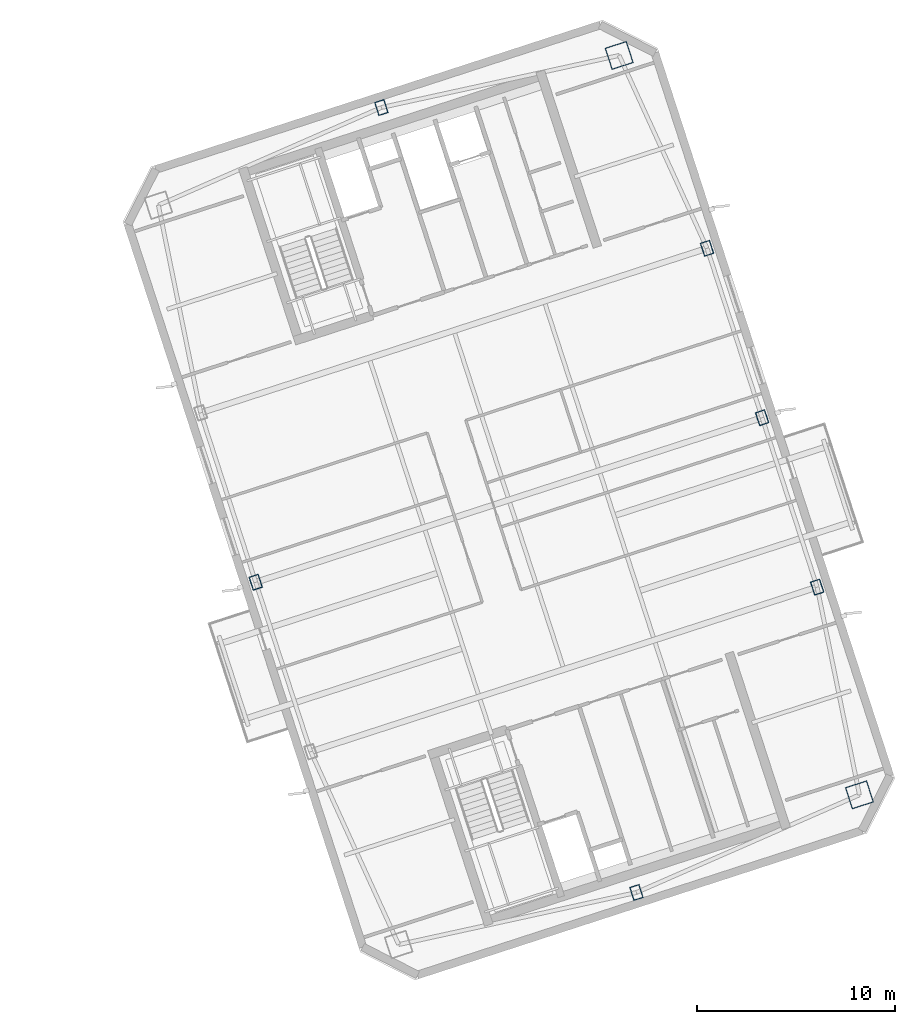
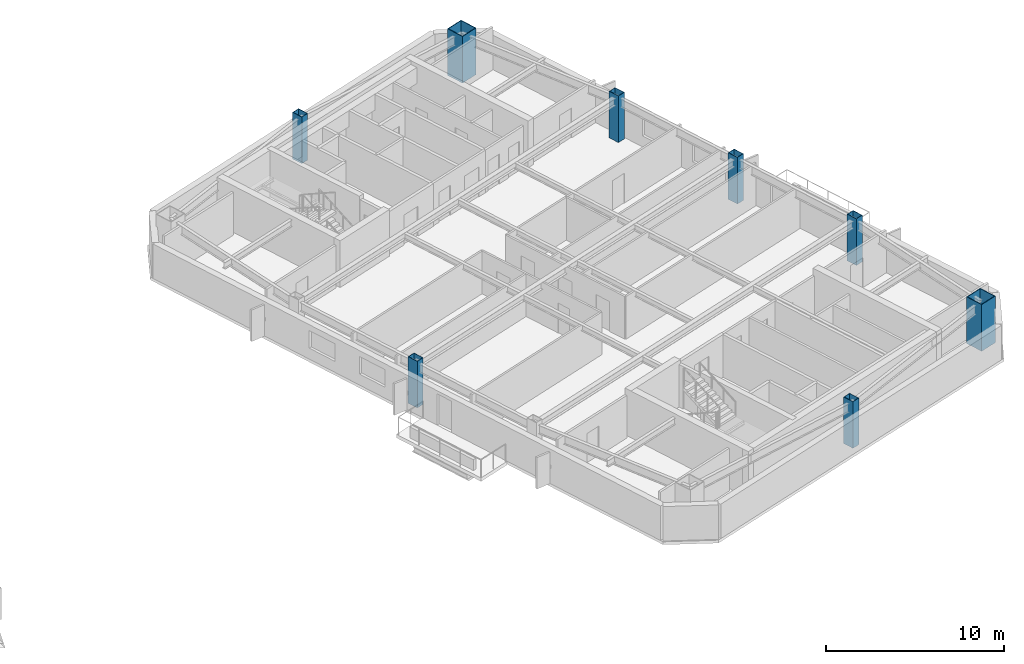
# One storey, part 2 of 18: 8 columns.
"""IFC4 building model written with IfcOpenShell, lengths in metres."""

from ifc_helpers import new_model, si_unit, direction, frame, origin, origin_2d, place, context, subcontext, project, spatial, hollow_rectangle, extrude, material, material_profile, profile_set, type_object, element, save


model = new_model("IFC4")

# Units and contexts
model_context = context("Model", 3, precision=1e-05, world=origin(), true_north=direction((0.0, 1.0)))
body_context = subcontext(model_context, "Body", "Model", "MODEL_VIEW")
ifc_project = project(units=[si_unit("LENGTHUNIT", "METRE"), si_unit("AREAUNIT", "SQUARE_METRE"), si_unit("VOLUMEUNIT", "CUBIC_METRE"), si_unit("PLANEANGLEUNIT", "RADIAN"), si_unit("MASSUNIT", "GRAM", prefix="KILO")], contexts=[model_context])

# Site, building, storey
site_placement = place(None, origin())
site = spatial("IfcSite", under=ifc_project, at=site_placement, CompositionType="ELEMENT")
building_placement = place(site_placement, origin())
building = spatial("IfcBuilding", under=site, at=building_placement, Name="Qiaolan Cultural Towers", CompositionType="ELEMENT")
storey_placement = place(building_placement, frame((0.0, 0.0, 237.60009765625)))
storey = spatial("IfcBuildingStorey", under=building, at=storey_placement, Name="L64", CompositionType="ELEMENT", Elevation=237.60009765625)

# Columns
ifc_material_1 = material(Name="Steel Q390GJB", Category="steel")
ifc_material_profile_1 = material_profile(ifc_material_1, hollow_rectangle(XDim=1.14990234375, YDim=1.14990234375, WallThickness=0.0400390625, at=origin_2d()), Name="BOX1150x1150x40")
ifc_profile_set_1 = profile_set([ifc_material_profile_1], Name="Steel Q390GJB")
column_type_1 = type_object("IfcColumnType", Name="COL-BOX1150x1150x40", PredefinedType="COLUMN", material=ifc_profile_set_1)
for number, where, z_axis, x_axis, name in (
    (1, (107.7099609375, 19.103515625, 0.0), (0.0, 0.0, 1.0), (0.951056516295, 0.309016994375, 0.0), "L64 T2 Perimeter Column MC-SE"),
    (2, (95.57177734375, 56.461181640625, 0.0), (0.0, 0.0, 1.0), (0.951056516295, 0.309016994375, 0.0), "L64 T2 Perimeter Column MC-NE"),
):
    element("IfcColumn", number, at=place(storey_placement, frame(where, z_axis=z_axis, x_axis=x_axis)), inside=storey, type_object=column_type_1, Name=name, PredefinedType="COLUMN", context=body_context, shape_type="SweptSolid", body=[
        extrude(hollow_rectangle(XDim=1.14990234375, YDim=1.14990234375, WallThickness=0.0400390625, at=origin_2d()), origin(), (0.0, 0.0, 1.0), 3.200927734375),
    ])
ifc_material_2 = material(Name="Steel Q355B", Category="steel")
ifc_material_profile_2 = material_profile(ifc_material_2, hollow_rectangle(XDim=0.5, YDim=0.699951171875, WallThickness=0.02490234375, at=origin_2d()), Name="BOX700x500x25")
ifc_profile_set_2 = profile_set([ifc_material_profile_2], Name="Steel Q355B")
column_type_2 = type_object("IfcColumnType", Name="COL-BOX700x500x25", PredefinedType="COLUMN", material=ifc_profile_set_2)
for number, where, z_axis, x_axis, name in (
    (3, (77.208251953125, 29.84375, 0.0), (0.0, 0.0, 1.0), (0.951056516295, 0.309016994375, 0.0), "L64 T2 Perimeter Column PC-W2"),
    (4, (105.57275390625, 29.5966796875, 0.0), (0.0, 0.0, 1.0), (0.951056516295, 0.309016994375, 0.0), "L64 T2 Perimeter Column PC-E1"),
    (5, (102.791748046875, 38.15625, 0.0), (0.0, 0.0, 1.0), (0.951056516295, 0.309016994375, 0.0), "L64 T2 Perimeter Column PC-E2"),
    (6, (100.010498046875, 46.7158203125, 0.0), (0.0, 0.0, 1.0), (0.951056516295, 0.309016994375, 0.0), "L64 T2 Perimeter Column PC-E3"),
    (7, (96.443115234375, 14.17041015625, 0.0), (0.0, 0.0, 1.0), (0.951056516295, 0.309016994375, 0.0), "L64 T2 Perimeter Column PC-S0"),
    (8, (83.556884765625, 53.82958984375, 0.0), (0.0, 0.0, 1.0), (0.951056516295, 0.309016994375, 0.0), "L64 T2 Perimeter Column PC-N0"),
):
    element("IfcColumn", number, at=place(storey_placement, frame(where, z_axis=z_axis, x_axis=x_axis)), inside=storey, type_object=column_type_2, Name=name, PredefinedType="COLUMN", context=body_context, shape_type="SweptSolid", body=[
        extrude(hollow_rectangle(XDim=0.5, YDim=0.699951171875, WallThickness=0.02490234375, at=origin_2d()), origin(), (0.0, 0.0, 1.0), 3.200927734375),
    ])

save(model, "model.ifc")
